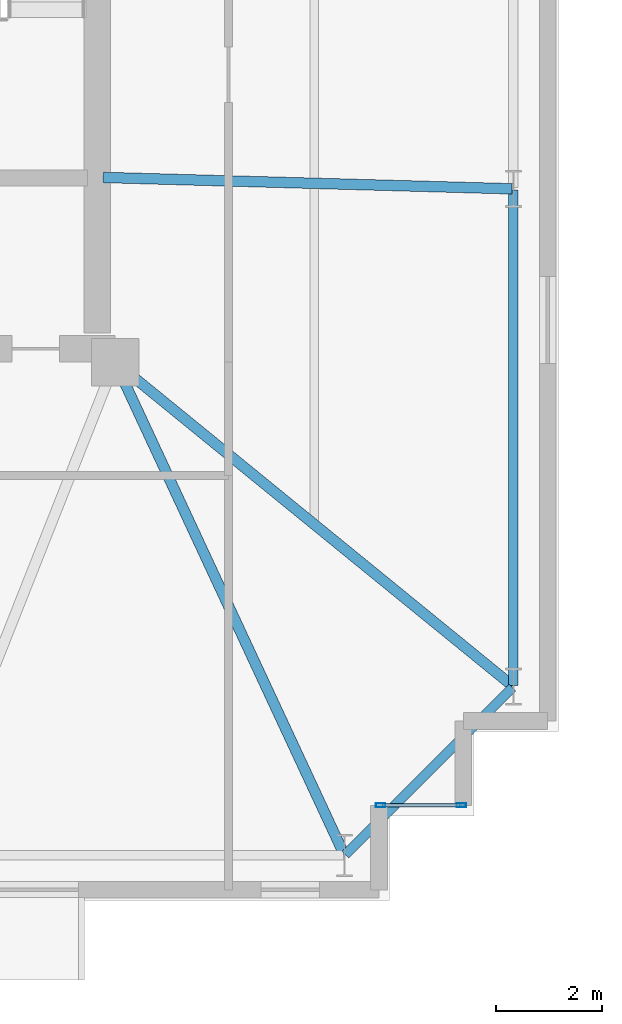
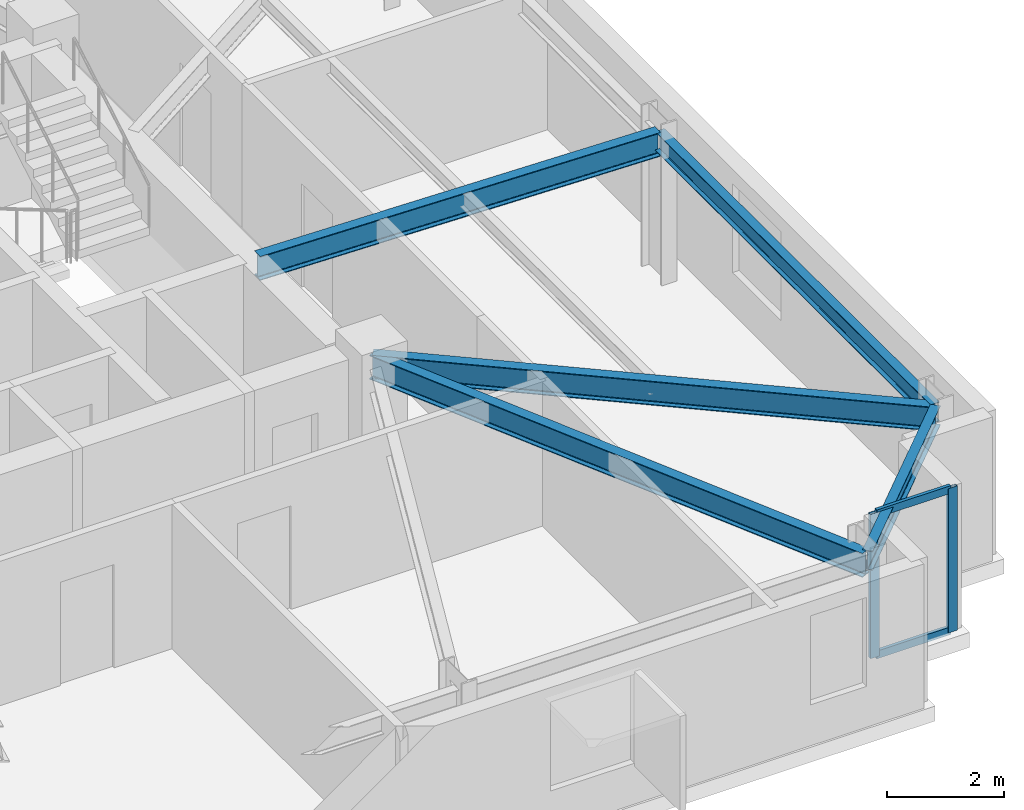
# One storey, part 5 of 17: 5 beams, 4 members, 1 element without a shape of its own.
"""IFC4 building model written with IfcOpenShell, lengths in metres."""

import ifcopenshell
import ifcopenshell.guid

model = None  # the IFC model being written
_history = None  # IfcOwnerHistory: only IFC2X3 demands one
_inside = {}  # id of a spatial element -> (the spatial element, [elements in it])
_under = {}  # id of a project, library or spatial element -> (it, [spatial elements below it])
_declared = {}  # id of a project -> (the project, [libraries it declares])
_typed = {}  # id of a type object -> (the type object, [elements of that type])
_made_of = {}  # id of a material, layer set ... -> (it, [elements and type objects made of it])


def new_model(schema):
    """Start an empty IFC model of exactly this schema.

    Asked for "IFC4X3", IfcOpenShell would pick the latest addendum, in which some entities
    have other attributes; the version numbers below select the first issue.
    IFC2X3 requires an IfcOwnerHistory on every rooted entity: one is made here for all.
    """
    global model, _history
    if schema == "IFC4X3":
        model = ifcopenshell.file(schema_version=(4, 3, 0, 0))
    else:
        model = ifcopenshell.file(schema=schema)
    _inside.clear()
    _under.clear()
    _declared.clear()
    _typed.clear()
    _made_of.clear()
    _history = None
    if model.schema == "IFC2X3":
        org = make("IfcOrganization", Name="unknown")
        user = make(
            "IfcPersonAndOrganization",
            ThePerson=make("IfcPerson", FamilyName="unknown"),
            TheOrganization=org,
        )
        app = make(
            "IfcApplication",
            ApplicationDeveloper=org,
            Version="unknown",
            ApplicationFullName="unknown",
            ApplicationIdentifier="unknown",
        )
        _history = make(
            "IfcOwnerHistory",
            OwningUser=user,
            OwningApplication=app,
            ChangeAction="ADDED",
            CreationDate=0,
        )
    return model


def make(cls, **values):
    """One entity of the class cls with the attributes given. An attribute that is None is left unset."""
    return model.create_entity(
        cls, **{name: value for name, value in values.items() if value is not None}
    )


def rooted(cls, **values):
    """An entity with a GlobalId (a new one), such as an element, a storey or a relation."""
    return make(cls, GlobalId=ifcopenshell.guid.new(), OwnerHistory=_history, **values)


def si_unit(unit_type, name, prefix=None):
    """IfcSIUnit, for example si_unit("LENGTHUNIT", "METRE", prefix="MILLI")."""
    return make("IfcSIUnit", UnitType=unit_type, Prefix=prefix, Name=name)


def assignment(units):
    """IfcUnitAssignment: the units of a project."""
    return None if units is None else make("IfcUnitAssignment", Units=units)


def point(xyz):
    """IfcCartesianPoint."""
    return None if xyz is None else make("IfcCartesianPoint", Coordinates=xyz)


def direction(xyz):
    """IfcDirection."""
    return None if xyz is None else make("IfcDirection", DirectionRatios=xyz)


def frame(location, z_axis=None, x_axis=None):
    """IfcAxis2Placement3D, a coordinate frame: its origin and axes. An axis left out is left unset."""
    return make(
        "IfcAxis2Placement3D",
        Location=point(location),
        Axis=direction(z_axis),
        RefDirection=direction(x_axis),
    )


def frame_2d(location, x_axis=None):
    """IfcAxis2Placement2D, a coordinate frame in the plane: its origin and x axis."""
    return make(
        "IfcAxis2Placement2D", Location=point(location), RefDirection=direction(x_axis)
    )


def origin():
    """The frame at (0, 0, 0) with its axes left unset."""
    return frame((0.0, 0.0, 0.0))


def origin_2d():
    """The frame at (0, 0) in the plane with its x axis left unset."""
    return frame_2d((0.0, 0.0))


def place(relative_to, where):
    """IfcLocalPlacement: puts the frame where relative to a parent placement (None: the world)."""
    return make(
        "IfcLocalPlacement", PlacementRelTo=relative_to, RelativePlacement=where
    )


def context(
    kind, dimensions, precision=None, world=None, true_north=None, identifier=None
):
    """IfcGeometricRepresentationContext, for example the 3D "Model" context."""
    return make(
        "IfcGeometricRepresentationContext",
        ContextIdentifier=identifier,
        ContextType=kind,
        CoordinateSpaceDimension=dimensions,
        Precision=precision,
        WorldCoordinateSystem=world,
        TrueNorth=true_north,
    )


def subcontext(parent, identifier, kind, view, scale=None):
    """IfcGeometricRepresentationSubContext, for example "Body" below "Model"."""
    return make(
        "IfcGeometricRepresentationSubContext",
        ContextIdentifier=identifier,
        ContextType=kind,
        ParentContext=parent,
        TargetScale=scale,
        TargetView=view,
    )


def project(units=None, contexts=None):
    """IfcProject with its units and contexts."""
    return rooted(
        "IfcProject",
        Name="project",
        RepresentationContexts=contexts,
        UnitsInContext=assignment(units),
    )


def spatial(cls, under=None, at=None, **own):
    """A site, building, storey or space (cls), placed at a placement, below another one or the project."""
    s = rooted(cls, ObjectPlacement=at, **own)
    if under is not None:
        _under.setdefault(under.id(), (under, []))[1].append(s)
    return s


def profile(cls, at=None, kind="AREA", **sizes):
    """A parametric profile (cls). Its sizes go by their IFC names, for example OverallWidth=200.0."""
    return make(cls, ProfileType=kind, Position=at, **sizes)


def hollow_rectangle(**sizes):
    """IfcRectangleHollowProfileDef."""
    return profile("IfcRectangleHollowProfileDef", **sizes)


def i_section(**sizes):
    """IfcIShapeProfileDef."""
    return profile("IfcIShapeProfileDef", **sizes)


def extrude(swept, where, along, depth):
    """IfcExtrudedAreaSolid: the profile swept, set in the frame where, extruded along a direction by depth."""
    return make(
        "IfcExtrudedAreaSolid",
        SweptArea=swept,
        Position=where,
        ExtrudedDirection=direction(along),
        Depth=depth,
    )


def shape(context_of_items, identifier, shape_type, items):
    """IfcShapeRepresentation: the items that make up one representation, for example the "Body"."""
    return make(
        "IfcShapeRepresentation",
        ContextOfItems=context_of_items,
        RepresentationIdentifier=identifier,
        RepresentationType=shape_type,
        Items=items,
    )


def material(Name=None, Category=None):
    """IfcMaterial."""
    return make("IfcMaterial", Name=Name, Category=Category)


def layer(
    of_material, thickness, ventilated=None, Name=None, Category=None, Priority=None
):
    """IfcMaterialLayer: one layer of a wall or slab, of a material (None: an air gap)."""
    return make(
        "IfcMaterialLayer",
        Material=of_material,
        LayerThickness=thickness,
        IsVentilated=ventilated,
        Name=Name,
        Category=Category,
        Priority=Priority,
    )


def layer_set(layers, Name=None):
    """IfcMaterialLayerSet."""
    return make("IfcMaterialLayerSet", MaterialLayers=layers, LayerSetName=Name)


def material_profile(
    of_material, cross_section, Name=None, Category=None, Priority=None
):
    """IfcMaterialProfile: a cross section and its material."""
    return make(
        "IfcMaterialProfile",
        Name=Name,
        Material=of_material,
        Profile=cross_section,
        Priority=Priority,
        Category=Category,
    )


def profile_set(profiles, Name=None, composite=None):
    """IfcMaterialProfileSet."""
    return make(
        "IfcMaterialProfileSet",
        Name=Name,
        MaterialProfiles=profiles,
        CompositeProfile=composite,
    )


def made_of(thing, what):
    """Note that an element or type object is made of a material, layer set ...; save() writes the relation."""
    if what is not None:
        _made_of.setdefault(what.id(), (what, []))[1].append(thing)
    return thing


def type_object(cls, material=None, **own):
    """A type object (cls), such as IfcWallType, which elements share."""
    return made_of(rooted(cls, **own), material)


def element(
    cls,
    number,
    at=None,
    inside=None,
    cuts=None,
    type_object=None,
    material=None,
    context=None,
    identifier="Body",
    shape_type=None,
    held_by="IfcProductDefinitionShape",
    body=None,
    shapes=None,
    **own,
):
    """One element of the class cls, such as IfcWall. Its Tag is "e" and its number.

    at: its placement. inside: the storey or other place that contains it. cuts: it is an
    opening in that element (IfcRelVoidsElement). A single representation is given by context,
    identifier, shape_type and body (its items); several are given by shapes. held_by: the class
    of the entity that holds the representations. save() writes the other relations.
    """
    e = rooted(cls, Tag="e%d" % number, ObjectPlacement=at, **own)
    if body is not None:
        shapes = [shape(context, identifier, shape_type, body)]
    if shapes is not None:
        e.Representation = make(held_by, Representations=shapes)
    if inside is not None:
        _inside.setdefault(inside.id(), (inside, []))[1].append(e)
    if cuts is not None:
        rooted(
            "IfcRelVoidsElement", RelatingBuildingElement=cuts, RelatedOpeningElement=e
        )
    if type_object is not None:
        _typed.setdefault(type_object.id(), (type_object, []))[1].append(e)
    return made_of(e, material)


def aggregate(whole, parts):
    """IfcRelAggregates: a whole, such as a stair, and the parts it consists of."""
    return rooted("IfcRelAggregates", RelatingObject=whole, RelatedObjects=parts)


def save(model, path):
    """Write the relations noted so far, then the file.

    IfcRelAggregates (storeys below a building ...), IfcRelContainedInSpatialStructure (elements
    in a storey), IfcRelDefinesByType, IfcRelAssociatesMaterial and IfcRelDeclares: one each for
    every whole, place, type object, material and project.
    """
    for whole, parts in _under.values():
        aggregate(whole, parts)
    for where, things in _inside.values():
        rooted(
            "IfcRelContainedInSpatialStructure",
            RelatedElements=things,
            RelatingStructure=where,
        )
    for kind, things in _typed.values():
        rooted("IfcRelDefinesByType", RelatedObjects=things, RelatingType=kind)
    for what, things in _made_of.values():
        rooted("IfcRelAssociatesMaterial", RelatedObjects=things, RelatingMaterial=what)
    for by, libraries in _declared.values():
        rooted("IfcRelDeclares", RelatingContext=by, RelatedDefinitions=libraries)
    model.write(path)


model = new_model("IFC4")

# Units and contexts
model_context = context("Model", 3, precision=1e-05, world=origin(), true_north=direction((0.0, 1.0)))
body_context = subcontext(model_context, "Body", "Model", "MODEL_VIEW")
ifc_project = project(units=[si_unit("LENGTHUNIT", "METRE"), si_unit("AREAUNIT", "SQUARE_METRE"), si_unit("VOLUMEUNIT", "CUBIC_METRE"), si_unit("PLANEANGLEUNIT", "RADIAN"), si_unit("MASSUNIT", "GRAM", prefix="KILO")], contexts=[model_context])

# Site, building, storey
site_placement = place(None, origin())
site = spatial("IfcSite", under=ifc_project, at=site_placement, CompositionType="ELEMENT")
building_placement = place(site_placement, origin())
building = spatial("IfcBuilding", under=site, at=building_placement, Name="Qobustan Lattice House", CompositionType="ELEMENT")
storey_placement = place(building_placement, frame((0.0, 0.0, 171.199951171875)))
storey = spatial("IfcBuildingStorey", under=building, at=storey_placement, Name="L48", CompositionType="ELEMENT", Elevation=171.199951171875)

# Beams
ifc_material_1 = material(Name="Steel S355", Category="steel")
ifc_material_profile_1 = material_profile(ifc_material_1, i_section(OverallWidth=0.199951171875, OverallDepth=0.5, WebThickness=0.01025390625, FlangeThickness=0.01611328125, FilletRadius=0.02099609375, at=origin_2d()), Name="IPE500")
ifc_profile_set_1 = profile_set([ifc_material_profile_1], Name="Steel S355")
beam_type_1 = type_object("IfcBeamType", Name="BM-FLG-IPE500", PredefinedType="USERDEFINED", material=ifc_profile_set_1)
beam_1_placement = place(storey_placement, frame((23.139404296875, -14.92724609375, 2.75), z_axis=(-0.421827633168, 0.906676043521, 0.0), x_axis=(-0.906676043521, -0.421827633168, 0.0)))
element("IfcBeam", 1, at=beam_1_placement, inside=storey, type_object=beam_type_1, Name="L48 primary floor girder RAD-S7E", ObjectType="GIRDER", PredefinedType="USERDEFINED", context=body_context, shape_type="SweptSolid", body=[
    extrude(i_section(OverallWidth=0.199951171875, OverallDepth=0.5, WebThickness=0.01025390625, FlangeThickness=0.01611328125, FilletRadius=0.02099609375, at=origin_2d()), origin(), (0.0, 0.0, 1.0), 10.26220703125),
])
beam_2_placement = place(storey_placement, frame((26.324951171875, -2.31591796875, 2.75), z_axis=(-0.999614226396, 0.027774059592, 0.0), x_axis=(-0.027774059592, -0.999614226396, 0.0)))
element("IfcBeam", 2, at=beam_2_placement, inside=storey, type_object=beam_type_1, Name="L48 primary floor girder RAD-E2", ObjectType="GIRDER", PredefinedType="USERDEFINED", context=body_context, shape_type="SweptSolid", body=[
    extrude(i_section(OverallWidth=0.199951171875, OverallDepth=0.5, WebThickness=0.01025390625, FlangeThickness=0.01611328125, FilletRadius=0.02099609375, at=origin_2d()), origin(), (0.0, 0.0, 1.0), 7.7529296875),
])
beam_3_placement = place(storey_placement, frame((26.33056640625, -11.734130859375, 2.75), z_axis=(-0.775328675038, 0.631557951152, 0.0), x_axis=(-0.631557951152, -0.775328675038, 0.0)))
element("IfcBeam", 3, at=beam_3_placement, inside=storey, type_object=beam_type_1, Name="L48 primary floor girder RAD-E1", ObjectType="GIRDER", PredefinedType="USERDEFINED", context=body_context, shape_type="SweptSolid", body=[
    extrude(i_section(OverallWidth=0.199951171875, OverallDepth=0.5, WebThickness=0.01025390625, FlangeThickness=0.01611328125, FilletRadius=0.02099609375, at=origin_2d()), origin(), (0.0, 0.0, 1.0), 9.687744140625),
])
ifc_material_2 = material(Name="Steel S355", Category="steel")
ifc_material_profile_2 = material_profile(ifc_material_2, i_section(OverallWidth=0.179931640625, OverallDepth=0.39990234375, WebThickness=0.008544921875, FlangeThickness=0.013427734375, FilletRadius=0.02099609375, at=origin_2d()), Name="IPE400")
ifc_profile_set_2 = profile_set([ifc_material_profile_2], Name="Steel S355")
beam_type_2 = type_object("IfcBeamType", Name="BM-SPD-IPE400", PredefinedType="SPANDREL", material=ifc_profile_set_2)
beam_4_placement = place(storey_placement, frame((23.167724609375, -14.932373046875, 2.800048828125), z_axis=(0.707079505568, 0.707134055753, 0.0), x_axis=(-0.707134055753, 0.707079505568, 0.0)))
element("IfcBeam", 4, at=beam_4_placement, inside=storey, type_object=beam_type_2, Name="L48 perimeter spandrel S7-E1", PredefinedType="SPANDREL", context=body_context, shape_type="SweptSolid", body=[
    extrude(i_section(OverallWidth=0.179931640625, OverallDepth=0.39990234375, WebThickness=0.008544921875, FlangeThickness=0.013427734375, FilletRadius=0.02099609375, at=origin_2d()), origin(), (0.0, 0.0, 1.0), 4.4755859375),
])
beam_5_placement = place(storey_placement, frame((26.35009765625, -11.72509765625, 2.800048828125), z_axis=(0.0, 1.0, 0.0), x_axis=(-1.0, 0.0, 0.0)))
element("IfcBeam", 5, at=beam_5_placement, inside=storey, type_object=beam_type_2, Name="L48 perimeter spandrel E1-E2", PredefinedType="SPANDREL", context=body_context, shape_type="SweptSolid", body=[
    extrude(i_section(OverallWidth=0.179931640625, OverallDepth=0.39990234375, WebThickness=0.008544921875, FlangeThickness=0.013427734375, FilletRadius=0.02099609375, at=origin_2d()), origin(), (0.0, 0.0, 1.0), 9.38330078125),
])

# Curtain wall, members
ifc_material_3 = material(Name="Anodised aluminium and low-E glazing", Category="aluminium")
ifc_layer = layer(ifc_material_3, 0.219970703125)
ifc_layer_set = layer_set([ifc_layer], Name="Anodised aluminium and low-E glazing")
curtain_wall_type = type_object("IfcCurtainWallType", Name="CW-FAC-02", PredefinedType="USERDEFINED", material=ifc_layer_set)
curtain_wall_placement = place(storey_placement, origin())
curtain_wall = element("IfcCurtainWall", 6, at=curtain_wall_placement, inside=storey, type_object=curtain_wall_type, Name="L48 serrated corner faceted glazing 18", ObjectType="CURTAIN WALL", PredefinedType="USERDEFINED")
ifc_material_4 = material(Name="Anodised aluminium EN AW-6063 T6", Category="aluminium")
ifc_material_profile_3 = material_profile(ifc_material_4, hollow_rectangle(XDim=0.070068359375, YDim=0.179931640625, WallThickness=0.00439453125, at=origin_2d()), Name="CWM-180x70")
ifc_profile_set_3 = profile_set([ifc_material_profile_3], Name="Anodised aluminium EN AW-6063 T6")
member_type_1 = type_object("IfcMemberType", Name="CWM-STD-180", PredefinedType="MULLION", material=ifc_profile_set_3)
member_1_placement = place(storey_placement, frame((25.364990234375, -14.0, 0.0), z_axis=(0.0, 0.0, 1.0), x_axis=(0.0, -1.0, 0.0)))
member_1 = element("IfcMember", 7, at=member_1_placement, type_object=member_type_1, Name="CW-F2 mullion 1", PredefinedType="MULLION", context=body_context, shape_type="SweptSolid", body=[
    extrude(hollow_rectangle(XDim=0.070068359375, YDim=0.179931640625, WallThickness=0.00439453125, at=origin_2d()), origin(), (0.0, 0.0, 1.0), 3.0),
])
member_2_placement = place(storey_placement, frame((23.8349609375, -14.0, 0.0), z_axis=(0.0, 0.0, 1.0), x_axis=(0.0, -1.0, 0.0)))
member_2 = element("IfcMember", 8, at=member_2_placement, type_object=member_type_1, Name="CW-F2 mullion 2", PredefinedType="MULLION", context=body_context, shape_type="SweptSolid", body=[
    extrude(hollow_rectangle(XDim=0.070068359375, YDim=0.179931640625, WallThickness=0.00439453125, at=origin_2d()), origin(), (0.0, 0.0, 1.0), 3.0),
])
ifc_material_5 = material(Name="Anodised aluminium EN AW-6063 T6", Category="aluminium")
ifc_material_profile_4 = material_profile(ifc_material_5, hollow_rectangle(XDim=0.06494140625, YDim=0.159912109375, WallThickness=0.00390625, at=origin_2d()), Name="CWT-160x65")
ifc_profile_set_4 = profile_set([ifc_material_profile_4], Name="Anodised aluminium EN AW-6063 T6")
member_type_2 = type_object("IfcMemberType", Name="CWT-HOR-160", PredefinedType="USERDEFINED", material=ifc_profile_set_4)
member_3_placement = place(storey_placement, frame((25.330078125, -14.0, 0.032470703125), z_axis=(-1.0, 0.0, 0.0), x_axis=(0.0, -1.0, 0.0)))
member_3 = element("IfcMember", 9, at=member_3_placement, type_object=member_type_2, Name="CW-F2 transom 1.1", ObjectType="TRANSOM", PredefinedType="USERDEFINED", context=body_context, shape_type="SweptSolid", body=[
    extrude(hollow_rectangle(XDim=0.06494140625, YDim=0.159912109375, WallThickness=0.00390625, at=origin_2d()), origin(), (0.0, 0.0, 1.0), 1.4599609375),
])
member_4_placement = place(storey_placement, frame((25.330078125, -14.0, 2.967529296875), z_axis=(-1.0, 0.0, 0.0), x_axis=(0.0, -1.0, 0.0)))
member_4 = element("IfcMember", 10, at=member_4_placement, type_object=member_type_2, Name="CW-F2 transom 1.2", ObjectType="TRANSOM", PredefinedType="USERDEFINED", context=body_context, shape_type="SweptSolid", body=[
    extrude(hollow_rectangle(XDim=0.06494140625, YDim=0.159912109375, WallThickness=0.00390625, at=origin_2d()), origin(), (0.0, 0.0, 1.0), 1.4599609375),
])
aggregate(curtain_wall, [member_1, member_2, member_3, member_4])

save(model, "model.ifc")
